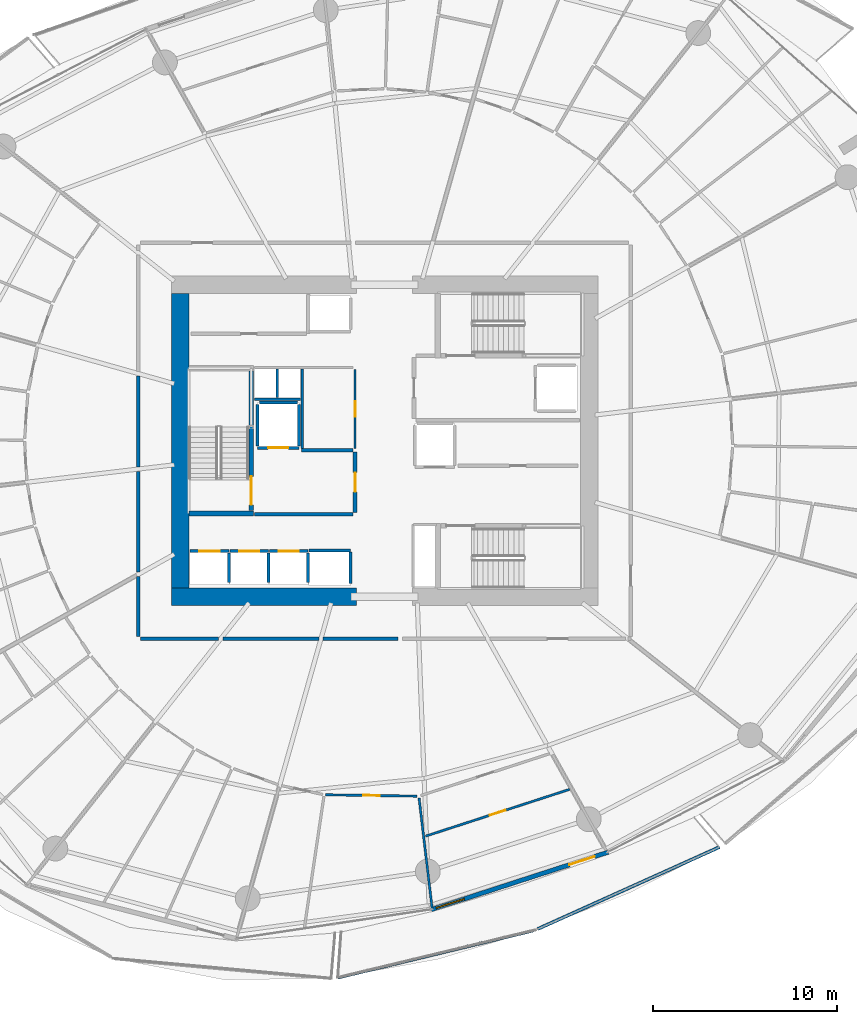
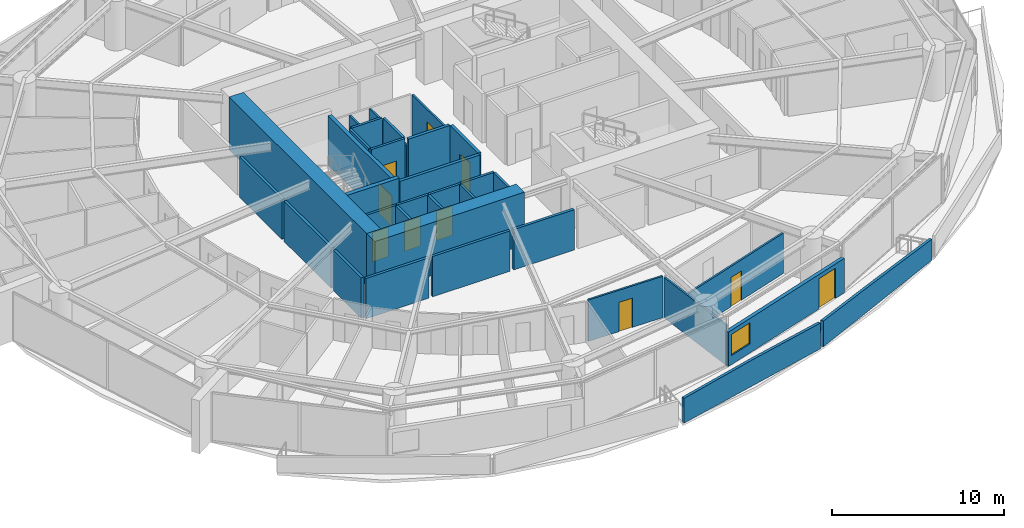
# One storey, part 20 of 31: 35 walls, 10 doors, 1 window, 11 openings.
"""IFC4 building model written with IfcOpenShell, lengths in metres."""

from ifc_helpers import new_model, si_unit, direction, frame, frame_2d, origin, place, context, subcontext, project, spatial, polyline, rectangle, outline, extrude, material, layer, layer_set, type_object, element, fill, save


model = new_model("IFC4")

# Units and contexts
model_context = context("Model", 3, precision=1e-05, world=origin(), true_north=direction((0.0, 1.0)))
body_context = subcontext(model_context, "Body", "Model", "MODEL_VIEW")
ifc_project = project(units=[si_unit("LENGTHUNIT", "METRE"), si_unit("AREAUNIT", "SQUARE_METRE"), si_unit("VOLUMEUNIT", "CUBIC_METRE"), si_unit("PLANEANGLEUNIT", "RADIAN"), si_unit("MASSUNIT", "GRAM", prefix="KILO")], contexts=[model_context])

# Site, building, storey
site_placement = place(None, origin())
site = spatial("IfcSite", under=ifc_project, at=site_placement, CompositionType="ELEMENT")
building_placement = place(site_placement, origin())
building = spatial("IfcBuilding", under=site, at=building_placement, Name="Kazma Halo Residences", CompositionType="ELEMENT")
storey_placement = place(building_placement, frame((0.0, 0.0, 45.14990234375)))
storey = spatial("IfcBuildingStorey", under=building, at=storey_placement, Name="L10", CompositionType="ELEMENT", Elevation=45.14990234375)

# Walls
ifc_material_1 = material(Name="White Concrete C50/60 Balustrade", Category="concrete")
ifc_layer_1 = layer(ifc_material_1, 0.179931640625)
ifc_layer_set_1 = layer_set([ifc_layer_1], Name="White Concrete C50/60 Balustrade")
wall_type_1 = type_object("IfcWallType", Name="WL-BAL-WAVE-180", PredefinedType="PARAPET", material=ifc_layer_set_1)
wall_1_placement = place(storey_placement, frame((45.884765625, 12.8466796875, 0.0), z_axis=(0.0, 0.0, 1.0), x_axis=(0.972165741218, 0.234294198824, 0.0)))
element("IfcWall", 1, at=wall_1_placement, inside=storey, type_object=wall_type_1, Name="L10 white wave balustrade wall SSE.1", PredefinedType="PARAPET", context=body_context, shape_type="SweptSolid", body=[
    extrude(outline(polyline([(0.0, 0.0), (10.93408203125, 0.0), (10.93408203125, 1.83203125), (5.467041015625, 1.85302734375), (0.0, 1.756103515625), (0.0, 0.0)])), frame((0.0, 0.08984375, 0.0), z_axis=(0.0, -1.0, 0.0), x_axis=(1.0, 0.0, 0.0)), (0.0, 0.0, 1.0), 0.179931640625),
])
wall_2_placement = place(storey_placement, frame((56.740478515625, 15.48583984375, 0.0), z_axis=(0.0, 0.0, 1.0), x_axis=(0.911628502068, 0.411015175167, 0.0)))
element("IfcWall", 2, at=wall_2_placement, inside=storey, type_object=wall_type_1, Name="L10 white wave balustrade wall SSE.2", PredefinedType="PARAPET", context=body_context, shape_type="SweptSolid", body=[
    extrude(outline(polyline([(0.0, 0.0), (10.82861328125, 0.0), (10.82861328125, 1.4970703125), (5.414306640625, 1.696044921875), (0.0, 1.83203125), (0.0, 0.0)])), frame((0.0, 0.08984375, 0.0), z_axis=(0.0, -1.0, 0.0), x_axis=(1.0, 0.0, 0.0)), (0.0, 0.0, 1.0), 0.179931640625),
])
ifc_material_2 = material(Name="Concrete C80/95", Category="concrete")
ifc_layer_2 = layer(ifc_material_2, 0.949951171875)
ifc_layer_set_2 = layer_set([ifc_layer_2], Name="Concrete C80/95")
wall_type_2 = type_object("IfcWallType", Name="WL-CORE-950", PredefinedType="SHEAR", material=ifc_layer_set_2)
wall_3_placement = place(storey_placement, frame((36.85009765625, 33.52490234375, 0.0), z_axis=(0.0, 0.0, 1.0), x_axis=(1.0, 0.0, 0.0)))
element("IfcWall", 3, at=wall_3_placement, inside=storey, type_object=wall_type_2, Name="L10 central core shear wall SW", PredefinedType="SHEAR", context=body_context, shape_type="SweptSolid", body=[
    extrude(rectangle(XDim=10.0498046875, YDim=0.949951171875, at=frame_2d((5.02490234375, 0.0))), origin(), (0.0, 0.0, 1.0), 3.75),
])
wall_4_placement = place(storey_placement, frame((37.324951171875, 34.0, 0.0), z_axis=(0.0, 0.0, 1.0), x_axis=(0.0, 1.0, 0.0)))
element("IfcWall", 4, at=wall_4_placement, inside=storey, type_object=wall_type_2, Name="L10 central core shear wall W", PredefinedType="SHEAR", context=body_context, shape_type="SweptSolid", body=[
    extrude(rectangle(XDim=16.0, YDim=0.949951171875, at=frame_2d((8.0, 0.0))), origin(), (0.0, 0.0, 1.0), 3.75),
])
ifc_material_3 = material(Name="Concrete C60/75", Category="concrete")
ifc_layer_3 = layer(ifc_material_3, 0.280029296875)
ifc_layer_set_3 = layer_set([ifc_layer_3], Name="Concrete C60/75")
wall_type_3 = type_object("IfcWallType", Name="WL-CORE-ST-280", PredefinedType="SHEAR", material=ifc_layer_set_3)
wall_5_placement = place(storey_placement, frame((37.800048828125, 38.06005859375, 0.0), z_axis=(0.0, 0.0, 1.0), x_axis=(1.0, 0.0, 0.0)))
element("IfcWall", 5, at=wall_5_placement, inside=storey, type_object=wall_type_3, Name="L10 stairwell bearing wall ST01-S", PredefinedType="SHEAR", context=body_context, shape_type="SweptSolid", body=[
    extrude(rectangle(XDim=3.5, YDim=0.280029296875, at=frame_2d((1.75, 0.0))), origin(), (0.0, 0.0, 1.0), 3.75),
])
ifc_material_4 = material(Name="Acoustic Twin-Stud Gypsum")
ifc_layer_4 = layer(ifc_material_4, 0.179931640625)
ifc_layer_set_4 = layer_set([ifc_layer_4], Name="Acoustic Twin-Stud Gypsum")
wall_type_4 = type_object("IfcWallType", Name="WL-DEM-180", PredefinedType="PARTITIONING", material=ifc_layer_set_4)
wall_6_placement = place(storey_placement, frame((35.050048828125, 45.5322265625, 0.0), z_axis=(0.0, 0.0, 1.0), x_axis=(0.0, -1.0, 0.0)))
element("IfcWall", 6, at=wall_6_placement, inside=storey, type_object=wall_type_4, Name="L10 Apartment 1 inner wall 6", PredefinedType="PARTITIONING", context=body_context, shape_type="SweptSolid", body=[
    extrude(rectangle(XDim=4.94482421875, YDim=0.179931640625, at=frame_2d((2.472412109375, 0.0))), origin(), (0.0, 0.0, 1.0), 2.8671875),
])
wall_7_placement = place(storey_placement, frame((35.050048828125, 40.347412109375, 0.0), z_axis=(0.0, 0.0, 1.0), x_axis=(0.0, -1.0, 0.0)))
element("IfcWall", 7, at=wall_7_placement, inside=storey, type_object=wall_type_4, Name="L10 Apartment 1 inner wall 7", PredefinedType="PARTITIONING", context=body_context, shape_type="SweptSolid", body=[
    extrude(rectangle(XDim=5.479736328125, YDim=0.179931640625, at=frame_2d((2.73974609375, 0.0))), origin(), (0.0, 0.0, 1.0), 2.8671875),
])
wall_8_placement = place(storey_placement, frame((35.050048828125, 34.627685546875, 0.0), z_axis=(0.0, 0.0, 1.0), x_axis=(0.0, -1.0, 0.0)))
element("IfcWall", 8, at=wall_8_placement, inside=storey, type_object=wall_type_4, Name="L10 Apartment 2 inner wall 8", PredefinedType="PARTITIONING", context=body_context, shape_type="SweptSolid", body=[
    extrude(rectangle(XDim=3.257568359375, YDim=0.179931640625, at=frame_2d((1.62890625, 0.0))), origin(), (0.0, 0.0, 1.0), 2.8671875),
])
wall_9_placement = place(storey_placement, frame((35.169921875, 31.25, 0.0), z_axis=(0.0, 0.0, 1.0), x_axis=(1.0, 0.0, 0.0)))
element("IfcWall", 9, at=wall_9_placement, inside=storey, type_object=wall_type_4, Name="L10 Apartment 2 inner wall 8", PredefinedType="PARTITIONING", context=body_context, shape_type="SweptSolid", body=[
    extrude(rectangle(XDim=4.235595703125, YDim=0.179931640625, at=frame_2d((2.11767578125, 0.0))), origin(), (0.0, 0.0, 1.0), 2.8671875),
])
wall_10_placement = place(storey_placement, frame((39.6455078125, 31.25, 0.0), z_axis=(0.0, 0.0, 1.0), x_axis=(1.0, 0.0, 0.0)))
element("IfcWall", 10, at=wall_10_placement, inside=storey, type_object=wall_type_4, Name="L10 Apartment 2 inner wall 9", PredefinedType="PARTITIONING", context=body_context, shape_type="SweptSolid", body=[
    extrude(rectangle(XDim=5.20263671875, YDim=0.179931640625, at=frame_2d((2.601318359375, 0.0))), origin(), (0.0, 0.0, 1.0), 2.8671875),
])
wall_11_placement = place(storey_placement, frame((45.088134765625, 31.25, 0.0), z_axis=(0.0, 0.0, 1.0), x_axis=(1.0, 0.0, 0.0)))
element("IfcWall", 11, at=wall_11_placement, inside=storey, type_object=wall_type_4, Name="L10 Apartment 2 inner wall 10", PredefinedType="PARTITIONING", context=body_context, shape_type="SweptSolid", body=[
    extrude(rectangle(XDim=4.064208984375, YDim=0.179931640625, at=frame_2d((2.0322265625, 0.0))), origin(), (0.0, 0.0, 1.0), 2.8671875),
])

# Wall, openings, door, window
ifc_material_5 = material(Name="Insulated Pale-Metal Composite Wall")
ifc_layer_5 = layer(ifc_material_5, 0.239990234375)
ifc_layer_set_5 = layer_set([ifc_layer_5], Name="Insulated Pale-Metal Composite Wall")
wall_type_5 = type_object("IfcWallType", Name="WL-EXT-HOST-240", PredefinedType="SOLIDWALL", material=ifc_layer_set_5)
wall_12_placement = place(storey_placement, frame((50.9638671875, 16.54150390625, 0.0), z_axis=(0.0, 0.0, 1.0), x_axis=(0.951054679225, 0.309022648238, 0.0)))
wall_12 = element("IfcWall", 12, at=wall_12_placement, inside=storey, type_object=wall_type_5, Name="L10 exterior terrace-access wall B12", PredefinedType="SOLIDWALL", context=body_context, shape_type="SweptSolid", body=[
    extrude(rectangle(XDim=10.0966796875, YDim=0.239990234375, at=frame_2d((5.04833984375, 0.0))), origin(), (0.0, 0.0, 1.0), 2.4501953125),
])
opening_1_placement = place(wall_12_placement, frame((7.876708984375, 0.0, 0.0)))
opening_1 = element("IfcOpeningElement", 13, at=opening_1_placement, cuts=wall_12, Name="Opening DTR-1600", PredefinedType="OPENING", context=body_context, shape_type="SweptSolid", body=[
    extrude(rectangle(XDim=1.449951171875, YDim=2.14990234375, at=frame_2d((0.72509765625, 1.074951171875))), frame((0.0, 0.1298828125, 0.0), z_axis=(0.0, -1.0, 0.0), x_axis=(1.0, 0.0, 0.0)), (0.0, 0.0, 1.0), 0.260009765625),
])
opening_2_placement = place(wall_12_placement, frame((0.280029296875, 0.0, 0.64990234375)))
opening_2 = element("IfcOpeningElement", 14, at=opening_2_placement, cuts=wall_12, Name="Opening W-1800", PredefinedType="OPENING", context=body_context, shape_type="SweptSolid", body=[
    extrude(rectangle(XDim=1.60009765625, YDim=1.5, at=frame_2d((0.800048828125, 0.75))), frame((0.0, 0.1298828125, 0.0), z_axis=(0.0, -1.0, 0.0), x_axis=(1.0, 0.0, 0.0)), (0.0, 0.0, 1.0), 0.260009765625),
])
ifc_material_6 = material(Name="Aluminium AW-6063 T6 Double-Glazed Terrace Door", Category="aluminium")
door_type_1 = type_object("IfcDoorType", Name="DR-EXT-TERR-1600", OperationType="NOTDEFINED", PredefinedType="DOOR", material=ifc_material_6)
door_1_placement = place(opening_1_placement, origin())
door_1 = element("IfcDoor", 15, at=door_1_placement, inside=storey, type_object=door_type_1, Name="L10 B12 balcony terrace door", OperationType="DOUBLE_DOOR_SLIDING", OverallHeight=2.14990234375, OverallWidth=1.449951171875, PredefinedType="DOOR", context=body_context, shape_type="SweptSolid", body=[
    extrude(rectangle(XDim=1.449951171875, YDim=2.14990234375, at=frame_2d((0.72509765625, 1.074951171875))), frame((0.0, 0.02490234375, 0.0), z_axis=(0.0, -1.0, 0.0), x_axis=(1.0, 0.0, 0.0)), (0.0, 0.0, 1.0), 0.050048828125),
])
fill(opening_1, door_1)
ifc_material_7 = material(Name="Clear Triple-Silver Low-E Glass in Aluminium AW-6063 T6 Frame", Category="aluminium")
window_type = type_object("IfcWindowType", Name="WIN-RES-1800", PartitioningType="DOUBLE_PANEL_VERTICAL", PredefinedType="WINDOW", material=ifc_material_7)
window_placement = place(opening_2_placement, origin())
window = element("IfcWindow", 16, at=window_placement, inside=storey, type_object=window_type, Name="L10 B12 apartment window", OverallHeight=1.5, OverallWidth=1.60009765625, PartitioningType="SINGLE_PANEL", PredefinedType="WINDOW", context=body_context, shape_type="SweptSolid", body=[
    extrude(rectangle(XDim=1.60009765625, YDim=1.5, at=frame_2d((0.800048828125, 0.75))), frame((0.0, 0.030029296875, 0.0), z_axis=(0.0, -1.0, 0.0), x_axis=(1.0, 0.0, 0.0)), (0.0, 0.0, 1.0), 0.06005859375),
])
fill(opening_2, window)

# Wall, opening, door
ifc_material_8 = material(Name="Fire-Rated Blockwork Masonry", Category="masonry")
ifc_layer_6 = layer(ifc_material_8, 0.199951171875)
ifc_layer_set_6 = layer_set([ifc_layer_6], Name="Fire-Rated Blockwork Masonry")
wall_type_6 = type_object("IfcWallType", Name="WL-FLB-200", PredefinedType="PARTITIONING", material=ifc_layer_set_6)
wall_13_placement = place(storey_placement, frame((37.864990234375, 36.0048828125, 0.0), z_axis=(0.0, 0.0, 1.0), x_axis=(1.0, 0.0, 0.0)))
wall_13 = element("IfcWall", 17, at=wall_13_placement, inside=storey, type_object=wall_type_6, Name="L10 lift shaft PL-01 front wall", PredefinedType="PARTITIONING", context=body_context, shape_type="SweptSolid", body=[
    extrude(rectangle(XDim=2.110107421875, YDim=0.159912109375, at=frame_2d((1.05517578125, 0.0))), origin(), (0.0, 0.0, 1.0), 3.5),
])
opening_3_placement = place(wall_13_placement, frame((0.5048828125, 0.0, 0.0)))
opening_3 = element("IfcOpeningElement", 18, at=opening_3_placement, cuts=wall_13, Name="Opening LD-PL-01", PredefinedType="OPENING", context=body_context, shape_type="SweptSolid", body=[
    extrude(rectangle(XDim=1.10009765625, YDim=2.10009765625, at=frame_2d((0.550048828125, 1.050048828125))), frame((0.0, 0.08984375, 0.0), z_axis=(0.0, -1.0, 0.0), x_axis=(1.0, 0.0, 0.0)), (0.0, 0.0, 1.0), 0.179931640625),
])
ifc_material_9 = material(Name="Stainless Steel Fire-Rated", Category="steel")
door_type_2 = type_object("IfcDoorType", Name="DR-LIFT-SLD-1100", OperationType="DOUBLE_DOOR_SLIDING", PredefinedType="DOOR", material=ifc_material_9)
door_2_placement = place(opening_3_placement, origin())
door_2 = element("IfcDoor", 19, at=door_2_placement, inside=storey, type_object=door_type_2, Name="L10 lift PL-01 sliding landing door", OperationType="DOUBLE_DOOR_SLIDING", OverallHeight=2.10009765625, OverallWidth=1.10009765625, PredefinedType="DOOR", context=body_context, shape_type="SweptSolid", body=[
    extrude(rectangle(XDim=1.10009765625, YDim=2.10009765625, at=frame_2d((0.550048828125, 1.050048828125))), frame((0.0, 0.02490234375, 0.0), z_axis=(0.0, -1.0, 0.0), x_axis=(1.0, 0.0, 0.0)), (0.0, 0.0, 1.0), 0.050048828125),
])
fill(opening_3, door_2)

# Wall
wall_14_placement = place(storey_placement, frame((39.97509765625, 34.294921875, 0.0), z_axis=(0.0, 0.0, 1.0), x_axis=(0.0, 1.0, 0.0)))
element("IfcWall", 20, at=wall_14_placement, inside=storey, type_object=wall_type_6, Name="L10 lift shaft PL-01 side wall E", PredefinedType="PARTITIONING", context=body_context, shape_type="SweptSolid", body=[
    extrude(rectangle(XDim=1.610107421875, YDim=0.159912109375, at=frame_2d((0.80517578125, 0.0))), origin(), (0.0, 0.0, 1.0), 3.5),
])

# Wall, opening, door
wall_15_placement = place(storey_placement, frame((40.014892578125, 36.0048828125, 0.0), z_axis=(0.0, 0.0, 1.0), x_axis=(1.0, 0.0, 0.0)))
wall_15 = element("IfcWall", 21, at=wall_15_placement, inside=storey, type_object=wall_type_6, Name="L10 lift shaft PL-02 front wall", PredefinedType="PARTITIONING", context=body_context, shape_type="SweptSolid", body=[
    extrude(rectangle(XDim=2.110107421875, YDim=0.159912109375, at=frame_2d((1.05517578125, 0.0))), origin(), (0.0, 0.0, 1.0), 3.5),
])
opening_4_placement = place(wall_15_placement, frame((0.5048828125, 0.0, 0.0)))
opening_4 = element("IfcOpeningElement", 22, at=opening_4_placement, cuts=wall_15, Name="Opening LD-PL-02", PredefinedType="OPENING", context=body_context, shape_type="SweptSolid", body=[
    extrude(rectangle(XDim=1.10009765625, YDim=2.10009765625, at=frame_2d((0.550048828125, 1.050048828125))), frame((0.0, 0.08984375, 0.0), z_axis=(0.0, -1.0, 0.0), x_axis=(1.0, 0.0, 0.0)), (0.0, 0.0, 1.0), 0.179931640625),
])
door_3_placement = place(opening_4_placement, origin())
door_3 = element("IfcDoor", 23, at=door_3_placement, inside=storey, type_object=door_type_2, Name="L10 lift PL-02 sliding landing door", OperationType="DOUBLE_DOOR_SLIDING", OverallHeight=2.10009765625, OverallWidth=1.10009765625, PredefinedType="DOOR", context=body_context, shape_type="SweptSolid", body=[
    extrude(rectangle(XDim=1.10009765625, YDim=2.10009765625, at=frame_2d((0.550048828125, 1.050048828125))), frame((0.0, 0.02490234375, 0.0), z_axis=(0.0, -1.0, 0.0), x_axis=(1.0, 0.0, 0.0)), (0.0, 0.0, 1.0), 0.050048828125),
])
fill(opening_4, door_3)

# Wall
wall_16_placement = place(storey_placement, frame((42.125, 34.294921875, 0.0), z_axis=(0.0, 0.0, 1.0), x_axis=(0.0, 1.0, 0.0)))
element("IfcWall", 24, at=wall_16_placement, inside=storey, type_object=wall_type_6, Name="L10 lift shaft PL-02 side wall E", PredefinedType="PARTITIONING", context=body_context, shape_type="SweptSolid", body=[
    extrude(rectangle(XDim=1.610107421875, YDim=0.159912109375, at=frame_2d((0.80517578125, 0.0))), origin(), (0.0, 0.0, 1.0), 3.5),
])

# Wall, opening, door
wall_17_placement = place(storey_placement, frame((42.1650390625, 36.0048828125, 0.0), z_axis=(0.0, 0.0, 1.0), x_axis=(1.0, 0.0, 0.0)))
wall_17 = element("IfcWall", 25, at=wall_17_placement, inside=storey, type_object=wall_type_6, Name="L10 lift shaft PL-03 front wall", PredefinedType="PARTITIONING", context=body_context, shape_type="SweptSolid", body=[
    extrude(rectangle(XDim=2.10986328125, YDim=0.159912109375, at=frame_2d((1.054931640625, 0.0))), origin(), (0.0, 0.0, 1.0), 3.5),
])
opening_5_placement = place(wall_17_placement, frame((0.5048828125, 0.0, 0.0)))
opening_5 = element("IfcOpeningElement", 26, at=opening_5_placement, cuts=wall_17, Name="Opening LD-PL-03", PredefinedType="OPENING", context=body_context, shape_type="SweptSolid", body=[
    extrude(rectangle(XDim=1.10009765625, YDim=2.10009765625, at=frame_2d((0.550048828125, 1.050048828125))), frame((0.0, 0.08984375, 0.0), z_axis=(0.0, -1.0, 0.0), x_axis=(1.0, 0.0, 0.0)), (0.0, 0.0, 1.0), 0.179931640625),
])
door_4_placement = place(opening_5_placement, origin())
door_4 = element("IfcDoor", 27, at=door_4_placement, inside=storey, type_object=door_type_2, Name="L10 lift PL-03 sliding landing door", OperationType="DOUBLE_DOOR_SLIDING", OverallHeight=2.10009765625, OverallWidth=1.10009765625, PredefinedType="DOOR", context=body_context, shape_type="SweptSolid", body=[
    extrude(rectangle(XDim=1.10009765625, YDim=2.10009765625, at=frame_2d((0.550048828125, 1.050048828125))), frame((0.0, 0.02490234375, 0.0), z_axis=(0.0, -1.0, 0.0), x_axis=(1.0, 0.0, 0.0)), (0.0, 0.0, 1.0), 0.050048828125),
])
fill(opening_5, door_4)

# Walls
wall_18_placement = place(storey_placement, frame((44.27490234375, 34.294921875, 0.0), z_axis=(0.0, 0.0, 1.0), x_axis=(0.0, 1.0, 0.0)))
element("IfcWall", 28, at=wall_18_placement, inside=storey, type_object=wall_type_6, Name="L10 lift shaft PL-03 side wall E", PredefinedType="PARTITIONING", context=body_context, shape_type="SweptSolid", body=[
    extrude(rectangle(XDim=1.610107421875, YDim=0.159912109375, at=frame_2d((0.80517578125, 0.0))), origin(), (0.0, 0.0, 1.0), 3.5),
])
wall_19_placement = place(storey_placement, frame((44.320068359375, 36.054931640625, 0.0), z_axis=(0.0, 0.0, 1.0), x_axis=(1.0, 0.0, 0.0)))
element("IfcWall", 29, at=wall_19_placement, inside=storey, type_object=wall_type_6, Name="L10 lift shaft PX-02 front wall", PredefinedType="PARTITIONING", context=body_context, shape_type="SweptSolid", body=[
    extrude(rectangle(XDim=2.260009765625, YDim=0.159912109375, at=frame_2d((1.1298828125, 0.0))), origin(), (0.0, 0.0, 1.0), 3.5),
])
wall_20_placement = place(storey_placement, frame((46.580078125, 34.2451171875, 0.0), z_axis=(0.0, 0.0, 1.0), x_axis=(0.0, 1.0, 0.0)))
element("IfcWall", 30, at=wall_20_placement, inside=storey, type_object=wall_type_6, Name="L10 lift shaft PX-02 side wall E", PredefinedType="PARTITIONING", context=body_context, shape_type="SweptSolid", body=[
    extrude(rectangle(XDim=1.7099609375, YDim=0.159912109375, at=frame_2d((0.85498046875, 0.0))), origin(), (0.0, 0.0, 1.0), 3.5),
])

# Wall, opening, door
wall_21_placement = place(storey_placement, frame((43.780029296875, 41.6201171875, 0.0), z_axis=(0.0, 0.0, 1.0), x_axis=(-1.0, 0.0, 0.0)))
wall_21 = element("IfcWall", 31, at=wall_21_placement, inside=storey, type_object=wall_type_6, Name="L10 lift shaft FL-01 front wall", PredefinedType="PARTITIONING", context=body_context, shape_type="SweptSolid", body=[
    extrude(rectangle(XDim=2.260009765625, YDim=0.159912109375, at=frame_2d((1.1298828125, 0.0))), origin(), (0.0, 0.0, 1.0), 3.5),
])
opening_6_placement = place(wall_21_placement, frame((0.580078125, 0.0, 0.0)))
opening_6 = element("IfcOpeningElement", 32, at=opening_6_placement, cuts=wall_21, Name="Opening LD-FL-01", PredefinedType="OPENING", context=body_context, shape_type="SweptSolid", body=[
    extrude(rectangle(XDim=1.10009765625, YDim=2.10009765625, at=frame_2d((0.550048828125, 1.050048828125))), frame((0.0, 0.08984375, 0.0), z_axis=(0.0, -1.0, 0.0), x_axis=(1.0, 0.0, 0.0)), (0.0, 0.0, 1.0), 0.179931640625),
])
door_5_placement = place(opening_6_placement, origin())
door_5 = element("IfcDoor", 33, at=door_5_placement, inside=storey, type_object=door_type_2, Name="L10 lift FL-01 sliding landing door", OperationType="DOUBLE_DOOR_SLIDING", OverallHeight=2.10009765625, OverallWidth=1.10009765625, PredefinedType="DOOR", context=body_context, shape_type="SweptSolid", body=[
    extrude(rectangle(XDim=1.10009765625, YDim=2.10009765625, at=frame_2d((0.550048828125, 1.050048828125))), frame((0.0, 0.02490234375, 0.0), z_axis=(0.0, -1.0, 0.0), x_axis=(1.0, 0.0, 0.0)), (0.0, 0.0, 1.0), 0.050048828125),
])
fill(opening_6, door_5)

# Walls
for number, where, z_axis, x_axis, name in (
    (34, (43.780029296875, 41.719970703125, 0.0), (0.0, 0.0, 1.0), (0.0, 1.0, 0.0), "L10 lift shaft FL-01 side wall E"),
    (35, (41.52001953125, 41.719970703125, 0.0), (0.0, 0.0, 1.0), (0.0, 1.0, 0.0), "L10 lift shaft FL-01 side wall W"),
):
    element("IfcWall", number, at=place(storey_placement, frame(where, z_axis=z_axis, x_axis=x_axis)), inside=storey, type_object=wall_type_6, Name=name, PredefinedType="PARTITIONING", context=body_context, shape_type="SweptSolid", body=[
        extrude(rectangle(XDim=2.260009765625, YDim=0.159912109375, at=frame_2d((1.1298828125, 0.0))), origin(), (0.0, 0.0, 1.0), 3.5),
    ])
wall_22_placement = place(storey_placement, frame((41.6201171875, 44.080078125, 0.0), z_axis=(0.0, 0.0, 1.0), x_axis=(1.0, 0.0, 0.0)))
element("IfcWall", 36, at=wall_22_placement, inside=storey, type_object=wall_type_6, Name="L10 lift shaft FL-01 side wall N", PredefinedType="PARTITIONING", context=body_context, shape_type="SweptSolid", body=[
    extrude(rectangle(XDim=2.059814453125, YDim=0.159912109375, at=frame_2d((1.02978515625, 0.0))), origin(), (0.0, 0.0, 1.0), 3.5),
])
wall_23_placement = place(storey_placement, frame((41.35009765625, 38.02001953125, 0.0), z_axis=(0.0, 0.0, 1.0), x_axis=(1.0, 0.0, 0.0)))
element("IfcWall", 37, at=wall_23_placement, inside=storey, type_object=wall_type_6, Name="L10 west firefighting lobby south smoke wall", PredefinedType="PARTITIONING", context=body_context, shape_type="SweptSolid", body=[
    extrude(rectangle(XDim=5.369873046875, YDim=0.199951171875, at=frame_2d((2.68505859375, 0.0))), origin(), (0.0, 0.0, 1.0), 3.5),
])
wall_24_placement = place(storey_placement, frame((43.919921875, 41.47998046875, 0.0), z_axis=(0.0, 0.0, 1.0), x_axis=(1.0, 0.0, 0.0)))
element("IfcWall", 38, at=wall_24_placement, inside=storey, type_object=wall_type_6, Name="L10 west firefighting lobby north smoke wall", PredefinedType="PARTITIONING", context=body_context, shape_type="SweptSolid", body=[
    extrude(rectangle(XDim=2.800048828125, YDim=0.199951171875, at=frame_2d((1.39990234375, 0.0))), origin(), (0.0, 0.0, 1.0), 3.5),
])

# Wall, opening, door
wall_25_placement = place(storey_placement, frame((46.820068359375, 38.1201171875, 0.0), z_axis=(0.0, 0.0, 1.0), x_axis=(0.0, 1.0, 0.0)))
wall_25 = element("IfcWall", 39, at=wall_25_placement, inside=storey, type_object=wall_type_6, Name="L10 west firefighting lobby smoke wall", PredefinedType="PARTITIONING", context=body_context, shape_type="SweptSolid", body=[
    extrude(rectangle(XDim=3.259765625, YDim=0.199951171875, at=frame_2d((1.6298828125, 0.0))), origin(), (0.0, 0.0, 1.0), 3.5),
])
opening_7_placement = place(wall_25_placement, frame((1.10498046875, 0.0, 0.0)))
opening_7 = element("IfcOpeningElement", 40, at=opening_7_placement, cuts=wall_25, Name="Opening D-FLW", PredefinedType="OPENING", context=body_context, shape_type="SweptSolid", body=[
    extrude(rectangle(XDim=1.050048828125, YDim=2.10009765625, at=frame_2d((0.52490234375, 1.050048828125))), frame((0.0, 0.10986328125, 0.0), z_axis=(0.0, -1.0, 0.0), x_axis=(1.0, 0.0, 0.0)), (0.0, 0.0, 1.0), 0.219970703125),
])
ifc_material_10 = material(Name="Fire-Rated Steel Leaf", Category="steel")
door_type_3 = type_object("IfcDoorType", Name="DR-FD90-1050", OperationType="NOTDEFINED", PredefinedType="DOOR", material=ifc_material_10)
door_6_placement = place(opening_7_placement, origin())
door_6 = element("IfcDoor", 41, at=door_6_placement, inside=storey, type_object=door_type_3, Name="L10 west firefighting lobby smoke door", OperationType="SINGLE_SWING_LEFT", OverallHeight=2.10009765625, OverallWidth=1.050048828125, PredefinedType="DOOR", context=body_context, shape_type="SweptSolid", body=[
    extrude(rectangle(XDim=1.050048828125, YDim=2.10009765625, at=frame_2d((0.52490234375, 1.050048828125))), frame((0.0, 0.02490234375, 0.0), z_axis=(0.0, -1.0, 0.0), x_axis=(1.0, 0.0, 0.0)), (0.0, 0.0, 1.0), 0.050048828125),
])
fill(opening_7, door_6)

# Walls
ifc_material_11 = material(Name="Gypsum Plasterboard Partition")
ifc_layer_7 = layer(ifc_material_11, 0.125)
ifc_layer_set_7 = layer_set([ifc_layer_7], Name="Gypsum Plasterboard Partition")
wall_type_7 = type_object("IfcWallType", Name="WL-PART-125", PredefinedType="PARTITIONING", material=ifc_layer_set_7)
wall_26_placement = place(storey_placement, frame((41.360107421875, 44.260009765625, 0.0), z_axis=(0.0, 0.0, 1.0), x_axis=(1.0, 0.0, 0.0)))
element("IfcWall", 42, at=wall_26_placement, inside=storey, type_object=wall_type_7, Name="L10 core riser south wall", PredefinedType="PARTITIONING", context=body_context, shape_type="SweptSolid", body=[
    extrude(rectangle(XDim=2.5, YDim=0.125, at=frame_2d((1.25, 0.0))), origin(), (0.0, 0.0, 1.0), 2.940185546875),
])
wall_27_placement = place(storey_placement, frame((42.60009765625, 44.35009765625, 0.0), z_axis=(0.0, 0.0, 1.0), x_axis=(0.0, 1.0, 0.0)))
element("IfcWall", 43, at=wall_27_placement, inside=storey, type_object=wall_type_7, Name="L10 core riser divider wall", PredefinedType="PARTITIONING", context=body_context, shape_type="SweptSolid", body=[
    extrude(rectangle(XDim=1.5498046875, YDim=0.125, at=frame_2d((0.77490234375, 0.0))), origin(), (0.0, 0.0, 1.0), 2.940185546875),
])
wall_28_placement = place(storey_placement, frame((43.949951171875, 41.580078125, 0.0), z_axis=(0.0, 0.0, 1.0), x_axis=(0.0, 1.0, 0.0)))
element("IfcWall", 44, at=wall_28_placement, inside=storey, type_object=wall_type_7, Name="L10 core service west wall", PredefinedType="PARTITIONING", context=body_context, shape_type="SweptSolid", body=[
    extrude(rectangle(XDim=4.31982421875, YDim=0.125, at=frame_2d((2.159912109375, 0.0))), origin(), (0.0, 0.0, 1.0), 2.940185546875),
])

# Wall, opening, door
wall_29_placement = place(storey_placement, frame((46.820068359375, 41.580078125, 0.0), z_axis=(0.0, 0.0, 1.0), x_axis=(0.0, 1.0, 0.0)))
wall_29 = element("IfcWall", 45, at=wall_29_placement, inside=storey, type_object=wall_type_7, Name="L10 core service room east wall", PredefinedType="PARTITIONING", context=body_context, shape_type="SweptSolid", body=[
    extrude(rectangle(XDim=4.2998046875, YDim=0.125, at=frame_2d((2.14990234375, 0.0))), origin(), (0.0, 0.0, 1.0), 2.940185546875),
])
opening_8_placement = place(wall_29_placement, frame((1.72509765625, 0.0, 0.0)))
opening_8 = element("IfcOpeningElement", 46, at=opening_8_placement, cuts=wall_29, Name="Opening DS-850", PredefinedType="OPENING", context=body_context, shape_type="SweptSolid", body=[
    extrude(rectangle(XDim=0.85009765625, YDim=2.06005859375, at=frame_2d((0.425048828125, 1.030029296875))), frame((0.0, 0.072509765625, 0.0), z_axis=(0.0, -1.0, 0.0), x_axis=(1.0, 0.0, 0.0)), (0.0, 0.0, 1.0), 0.14501953125),
])
ifc_material_12 = material(Name="Painted Steel Access Leaf", Category="steel")
door_type_4 = type_object("IfcDoorType", Name="DR-SVC-850", OperationType="NOTDEFINED", PredefinedType="DOOR", material=ifc_material_12)
door_7_placement = place(opening_8_placement, origin())
door_7 = element("IfcDoor", 47, at=door_7_placement, inside=storey, type_object=door_type_4, Name="L10 core service room door", OperationType="SINGLE_SWING_LEFT", OverallHeight=2.06005859375, OverallWidth=0.85009765625, PredefinedType="DOOR", context=body_context, shape_type="SweptSolid", body=[
    extrude(rectangle(XDim=0.85009765625, YDim=2.06005859375, at=frame_2d((0.425048828125, 1.030029296875))), frame((0.0, 0.02490234375, 0.0), z_axis=(0.0, -1.0, 0.0), x_axis=(1.0, 0.0, 0.0)), (0.0, 0.0, 1.0), 0.050048828125),
])
fill(opening_8, door_7)

wall_30_placement = place(storey_placement, frame((45.220947265625, 22.7763671875, 0.0), z_axis=(0.0, 0.0, 1.0), x_axis=(0.999888207593, -0.014952334847, 0.0)))
wall_30 = element("IfcWall", 48, at=wall_30_placement, inside=storey, type_object=wall_type_7, Name="L10 Apartment 2 Inner Master Bedroom hall wall", PredefinedType="PARTITIONING", context=body_context, shape_type="SweptSolid", body=[
    extrude(rectangle(XDim=4.963623046875, YDim=0.125, at=frame_2d((2.48193359375, 0.0))), origin(), (0.0, 0.0, 1.0), 2.940185546875),
])
opening_9_placement = place(wall_30_placement, frame((2.031982421875, 0.0, 0.0)))
opening_9 = element("IfcOpeningElement", 49, at=opening_9_placement, cuts=wall_30, Name="Opening DI-950", PredefinedType="OPENING", context=body_context, shape_type="SweptSolid", body=[
    extrude(rectangle(XDim=0.89990234375, YDim=2.080078125, at=frame_2d((0.449951171875, 1.0400390625))), frame((0.0, 0.072509765625, 0.0), z_axis=(0.0, -1.0, 0.0), x_axis=(1.0, 0.0, 0.0)), (0.0, 0.0, 1.0), 0.14501953125),
])
ifc_material_13 = material(Name="Timber Veneer Flush Leaf", Category="wood")
door_type_5 = type_object("IfcDoorType", Name="DR-INT-950", OperationType="NOTDEFINED", PredefinedType="DOOR", material=ifc_material_13)
door_8_placement = place(opening_9_placement, origin())
door_8 = element("IfcDoor", 50, at=door_8_placement, inside=storey, type_object=door_type_5, Name="L10 Apartment 2 Inner Master Bedroom door", OperationType="SINGLE_SWING_RIGHT", OverallHeight=2.080078125, OverallWidth=0.89990234375, PredefinedType="DOOR", context=body_context, shape_type="SweptSolid", body=[
    extrude(rectangle(XDim=0.89990234375, YDim=2.080078125, at=frame_2d((0.449951171875, 1.0400390625))), frame((0.0, 0.02490234375, 0.0), z_axis=(0.0, -1.0, 0.0), x_axis=(1.0, 0.0, 0.0)), (0.0, 0.0, 1.0), 0.050048828125),
])
fill(opening_9, door_8)

# Wall
wall_31_placement = place(storey_placement, frame((50.2958984375, 22.601318359375, 0.0), z_axis=(0.0, 0.0, 1.0), x_axis=(0.11752826538, -0.993069537765, 0.0)))
element("IfcWall", 51, at=wall_31_placement, inside=storey, type_object=wall_type_7, Name="L10 Apartment 2 radial partition 11", PredefinedType="PARTITIONING", context=body_context, shape_type="SweptSolid", body=[
    extrude(rectangle(XDim=6.0615234375, YDim=0.125, at=frame_2d((3.03076171875, 0.0))), origin(), (0.0, 0.0, 1.0), 2.8671875),
])

# Wall, opening, door
wall_32_placement = place(storey_placement, frame((50.64990234375, 20.530029296875, 0.0), z_axis=(0.0, 0.0, 1.0), x_axis=(0.951053253308, 0.309027036638, 0.0)))
wall_32 = element("IfcWall", 52, at=wall_32_placement, inside=storey, type_object=wall_type_7, Name="L10 Apartment 2 Corner Bedroom divider wall", PredefinedType="PARTITIONING", context=body_context, shape_type="SweptSolid", body=[
    extrude(rectangle(XDim=8.22900390625, YDim=0.125, at=frame_2d((4.114501953125, 0.0))), origin(), (0.0, 0.0, 1.0), 2.8671875),
])
opening_10_placement = place(wall_32_placement, frame((3.66455078125, 0.0, 0.0)))
opening_10 = element("IfcOpeningElement", 53, at=opening_10_placement, cuts=wall_32, Name="Opening DI-950", PredefinedType="OPENING", context=body_context, shape_type="SweptSolid", body=[
    extrude(rectangle(XDim=0.89990234375, YDim=2.080078125, at=frame_2d((0.449951171875, 1.0400390625))), frame((0.0, 0.072509765625, 0.0), z_axis=(0.0, -1.0, 0.0), x_axis=(1.0, 0.0, 0.0)), (0.0, 0.0, 1.0), 0.14501953125),
])
door_9_placement = place(opening_10_placement, origin())
door_9 = element("IfcDoor", 54, at=door_9_placement, inside=storey, type_object=door_type_5, Name="L10 Apartment 2 Corner Bedroom door", OperationType="SINGLE_SWING_LEFT", OverallHeight=2.080078125, OverallWidth=0.89990234375, PredefinedType="DOOR", context=body_context, shape_type="SweptSolid", body=[
    extrude(rectangle(XDim=0.89990234375, YDim=2.080078125, at=frame_2d((0.449951171875, 1.0400390625))), frame((0.0, 0.02490234375, 0.0), z_axis=(0.0, -1.0, 0.0), x_axis=(1.0, 0.0, 0.0)), (0.0, 0.0, 1.0), 0.050048828125),
])
fill(opening_10, door_9)

ifc_material_14 = material(Name="Concrete C50/60", Category="concrete")
ifc_layer_8 = layer(ifc_material_14, 0.25)
ifc_layer_set_8 = layer_set([ifc_layer_8], Name="Concrete C50/60")
wall_type_8 = type_object("IfcWallType", Name="WL-SHF-250", PredefinedType="SOLIDWALL", material=ifc_layer_set_8)
wall_33_placement = place(storey_placement, frame((41.179931640625, 38.219970703125, 0.0), z_axis=(0.0, 0.0, 1.0), x_axis=(0.0, 1.0, 0.0)))
wall_33 = element("IfcWall", 55, at=wall_33_placement, inside=storey, type_object=wall_type_8, Name="L10 exit stair ST-01 enclosure wall", PredefinedType="SOLIDWALL", context=body_context, shape_type="SweptSolid", body=[
    extrude(rectangle(XDim=7.56005859375, YDim=0.25, at=frame_2d((3.780029296875, 0.0))), origin(), (0.0, 0.0, 1.0), 3.5),
])
opening_11_placement = place(wall_33_placement, frame((0.300048828125, 0.0, 0.0)))
opening_11 = element("IfcOpeningElement", 56, at=opening_11_placement, cuts=wall_33, Name="Opening D-ST1", PredefinedType="OPENING", context=body_context, shape_type="SweptSolid", body=[
    extrude(rectangle(XDim=1.550048828125, YDim=2.14990234375, at=frame_2d((0.77490234375, 1.074951171875))), frame((0.0, 0.135009765625, 0.0), z_axis=(0.0, -1.0, 0.0), x_axis=(1.0, 0.0, 0.0)), (0.0, 0.0, 1.0), 0.27001953125),
])
ifc_material_15 = material(Name="Fire-Rated Double Steel Leaf", Category="steel")
door_type_6 = type_object("IfcDoorType", Name="DR-FD90-1550", OperationType="NOTDEFINED", PredefinedType="DOOR", material=ifc_material_15)
door_10_placement = place(opening_11_placement, origin())
door_10 = element("IfcDoor", 57, at=door_10_placement, inside=storey, type_object=door_type_6, Name="L10 exit stair ST-01 fire door", OperationType="DOUBLE_DOOR_SINGLE_SWING", OverallHeight=2.14990234375, OverallWidth=1.550048828125, PredefinedType="DOOR", context=body_context, shape_type="SweptSolid", body=[
    extrude(rectangle(XDim=1.550048828125, YDim=2.14990234375, at=frame_2d((0.77490234375, 1.074951171875))), frame((0.0, 0.02490234375, 0.0), z_axis=(0.0, -1.0, 0.0), x_axis=(1.0, 0.0, 0.0)), (0.0, 0.0, 1.0), 0.050048828125),
])
fill(opening_11, door_10)

save(model, "model.ifc")
